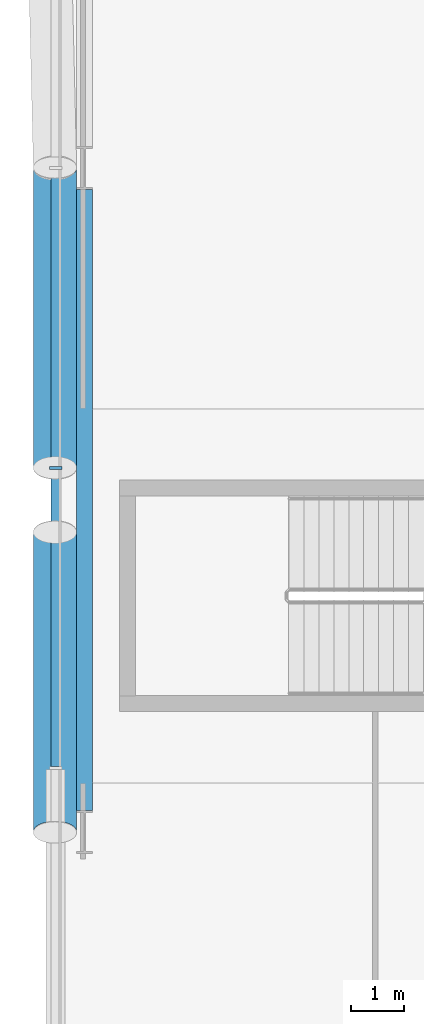
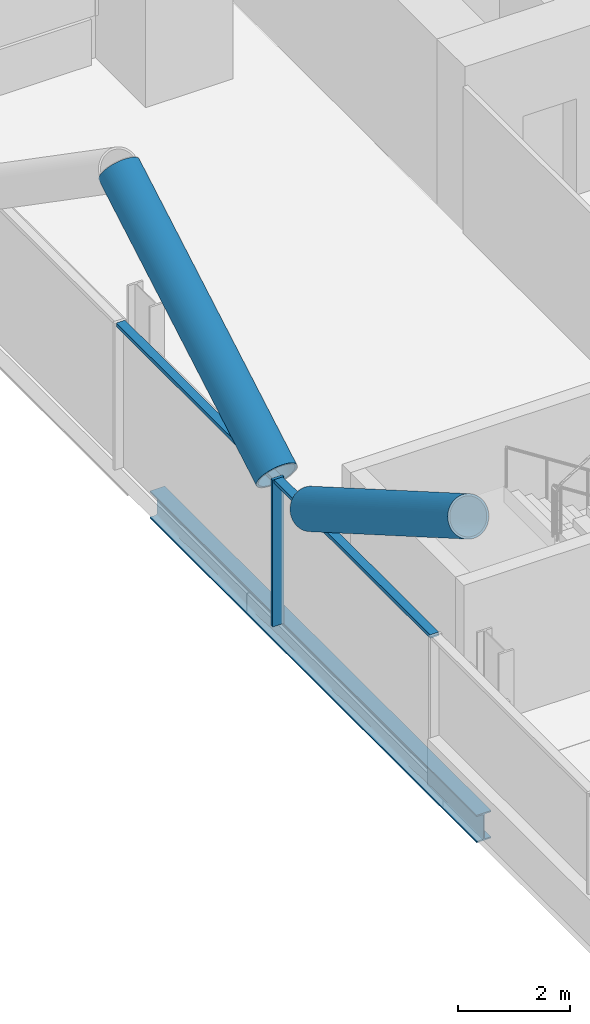
# One storey, part 6 of 27: 5 members, 1 beam, 1 element without a shape of its own.
"""IFC4 building model written with IfcOpenShell, lengths in metres."""

from ifc_helpers import new_model, si_unit, direction, frame, origin, origin_2d, place, context, subcontext, project, spatial, rectangle, hollow_circle, i_section, extrude, material, material_profile, profile_set, type_object, element, aggregate, save


model = new_model("IFC4")

# Units and contexts
model_context = context("Model", 3, precision=1e-05, world=origin(), true_north=direction((0.0, 1.0)))
body_context = subcontext(model_context, "Body", "Model", "MODEL_VIEW")
ifc_project = project(units=[si_unit("LENGTHUNIT", "METRE"), si_unit("AREAUNIT", "SQUARE_METRE"), si_unit("VOLUMEUNIT", "CUBIC_METRE"), si_unit("PLANEANGLEUNIT", "RADIAN"), si_unit("MASSUNIT", "GRAM", prefix="KILO")], contexts=[model_context])

# Site, building, storey
site_placement = place(None, origin())
site = spatial("IfcSite", under=ifc_project, at=site_placement, CompositionType="ELEMENT")
building_placement = place(site_placement, origin())
building = spatial("IfcBuilding", under=site, at=building_placement, Name="Wharfspan Tower", CompositionType="ELEMENT")
storey_placement = place(building_placement, frame((0.0, 0.0, 118.300049)))
storey = spatial("IfcBuildingStorey", under=building, at=storey_placement, Name="L27", CompositionType="ELEMENT", Elevation=118.300049)

# Beam
ifc_material_1 = material(Name="Steel S355J2", Category="steel")
ifc_material_profile_1 = material_profile(ifc_material_1, i_section(OverallWidth=0.300049, OverallDepth=0.600098, WebThickness=0.015381, FlangeThickness=0.030029, FilletRadius=0.0271, at=origin_2d()))
ifc_profile_set_1 = profile_set([ifc_material_profile_1], Name="Steel S355J2")
beam_type = type_object("IfcBeamType", Name="Edge beam HEB 600", PredefinedType="SPANDREL", material=ifc_profile_set_1)
beam_placement = place(storey_placement, frame((7.540039, 30.330322, -0.699951), z_axis=(0.0, -1.0, 0.0), x_axis=(1.0, 0.0, 0.0)))
element("IfcBeam", 1, at=beam_placement, inside=storey, type_object=beam_type, Name="Edge beam W L27 PW.1 to PW.2", PredefinedType="SPANDREL", context=body_context, shape_type="SweptSolid", body=[
    extrude(i_section(OverallWidth=0.300049, OverallDepth=0.600098, WebThickness=0.015381, FlangeThickness=0.030029, FilletRadius=0.0271, at=origin_2d()), origin(), (0.0, 0.0, 1.0), 11.660645),
])

# Curtain wall, member
ifc_material_2 = material(Name="Aluminium 6063-T6", Category="aluminium")
curtain_wall_type = type_object("IfcCurtainWallType", Name="CURTAIN WALL PROW AND END", PredefinedType="NOTDEFINED", material=ifc_material_2)
curtain_wall_placement = place(storey_placement, origin())
curtain_wall = element("IfcCurtainWall", 2, at=curtain_wall_placement, inside=storey, type_object=curtain_wall_type, Name="Curtain wall W", PredefinedType="NOTDEFINED")
ifc_material_profile_2 = material_profile(ifc_material_2, rectangle(XDim=0.23999, YDim=0.060059, at=origin_2d()))
ifc_profile_set_2 = profile_set([ifc_material_profile_2], Name="Aluminium 6063-T6")
member_type_1 = type_object("IfcMemberType", Name="MULLION PROW AND END 60x240", PredefinedType="MULLION", material=ifc_profile_set_2)
member_1_placement = place(storey_placement, frame((7.0, 25.100098, 0.0), z_axis=(0.0, 0.0, 1.0), x_axis=(1.0, 0.0, 0.0)))
member_1 = element("IfcMember", 3, at=member_1_placement, type_object=member_type_1, Name="Curtain wall W mullion 4", PredefinedType="MULLION", context=body_context, shape_type="SweptSolid", body=[
    extrude(rectangle(XDim=0.23999, YDim=0.060059, at=origin_2d()), origin(), (0.0, 0.0, 1.0), 3.199951),
])

# Members
ifc_material_3 = material(Name="Steel S460NH", Category="steel")
ifc_material_profile_3 = material_profile(ifc_material_3, hollow_circle(Radius=0.406494, WallThickness=0.040039, at=origin_2d()))
ifc_profile_set_3 = profile_set([ifc_material_profile_3], Name="Steel S460NH")
member_type_2 = type_object("IfcMemberType", Name="Mega brace CHS 813x40", PredefinedType="BRACE", material=ifc_profile_set_3)
for number, where, z_axis, x_axis, name in (
    (4, (6.985107, 23.894043, 3.25), (0.0, -0.865959, 0.500115), (1.0, 0.0, 0.0), "Mega brace W3 L27 part 2"),
    (5, (6.985107, 25.105957, 3.25), (0.0, 0.865959, 0.500115), (-1.0, 0.0, 0.0), "Mega brace W3 L27 part 4"),
):
    element("IfcMember", number, at=place(storey_placement, frame(where, z_axis=z_axis, x_axis=x_axis)), inside=storey, type_object=member_type_2, Name=name, PredefinedType="BRACE", context=body_context, shape_type="SweptSolid", body=[
        extrude(hollow_circle(Radius=0.406494, WallThickness=0.040039, at=origin_2d()), origin(), (0.0, 0.0, 1.0), 6.498535),
    ])

# Member
ifc_material_profile_4 = material_profile(ifc_material_2, rectangle(XDim=0.179932, YDim=0.080078, at=origin_2d()))
ifc_profile_set_4 = profile_set([ifc_material_profile_4], Name="Aluminium 6063-T6")
member_type_3 = type_object("IfcMemberType", Name="TRANSOM PROW AND END 80x180", PredefinedType="USERDEFINED", material=ifc_profile_set_4)
member_2_placement = place(storey_placement, frame((7.0, 30.703369, 3.159912), z_axis=(0.0, -1.0, 0.0), x_axis=(1.0, 0.0, 0.0)))
member_2 = element("IfcMember", 6, at=member_2_placement, type_object=member_type_3, Name="Curtain wall W transom 3", ObjectType="TRANSOM", PredefinedType="USERDEFINED", context=body_context, shape_type="SweptSolid", body=[
    extrude(rectangle(XDim=0.179932, YDim=0.080078, at=origin_2d()), origin(), (0.0, 0.0, 1.0), 5.573486),
])

member_3_placement = place(storey_placement, frame((7.0, 25.070068, 3.159912), z_axis=(0.0, -1.0, 0.0), x_axis=(1.0, 0.0, 0.0)))
member_3 = element("IfcMember", 7, at=member_3_placement, type_object=member_type_3, Name="Curtain wall W transom 4", ObjectType="TRANSOM", PredefinedType="USERDEFINED", context=body_context, shape_type="SweptSolid", body=[
    extrude(rectangle(XDim=0.179932, YDim=0.080078, at=origin_2d()), origin(), (0.0, 0.0, 1.0), 5.573486),
])

aggregate(curtain_wall, [member_1, member_2, member_3])

save(model, "model.ifc")
